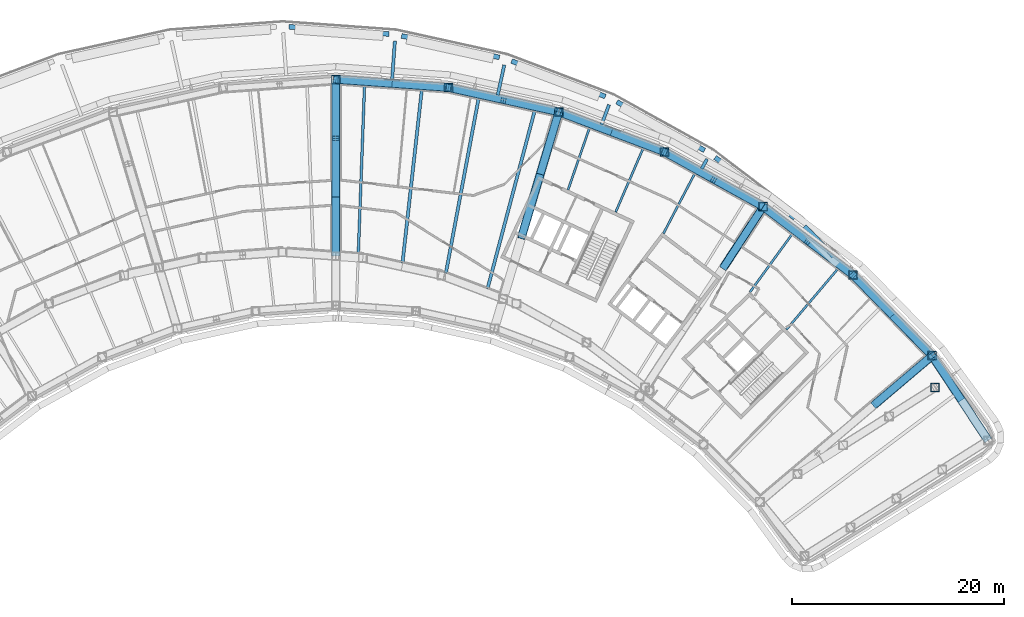
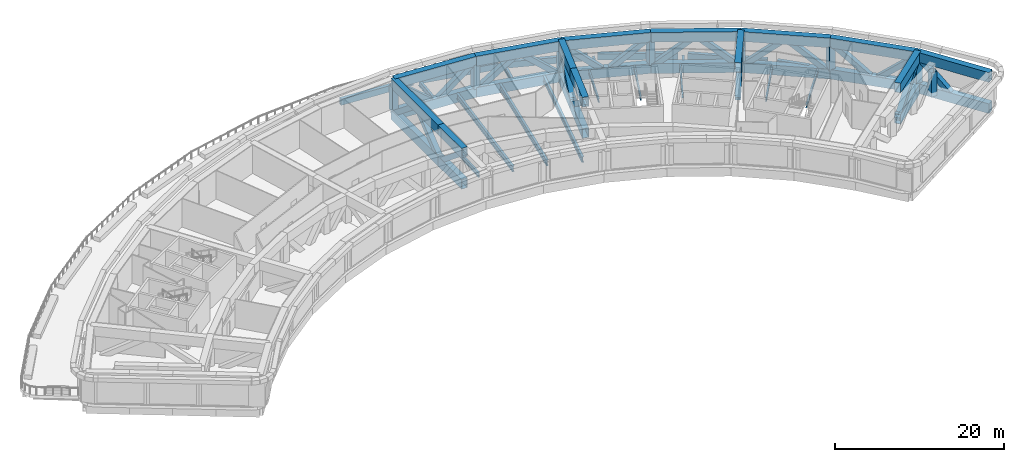
# One storey, part 5 of 24: 44 beams, 28 members.
"""IFC4 building model written with IfcOpenShell, lengths in metres."""

from ifc_helpers import new_model, si_unit, direction, frame, origin, origin_2d, place, context, subcontext, project, spatial, hollow_rectangle, i_section, extrude, material, material_profile, profile_set, type_object, element, save


model = new_model("IFC4")

# Units and contexts
model_context = context("Model", 3, precision=1e-05, world=origin(), true_north=direction((0.0, 1.0)))
body_context = subcontext(model_context, "Body", "Model", "MODEL_VIEW")
ifc_project = project(units=[si_unit("LENGTHUNIT", "METRE"), si_unit("AREAUNIT", "SQUARE_METRE"), si_unit("VOLUMEUNIT", "CUBIC_METRE"), si_unit("PLANEANGLEUNIT", "RADIAN"), si_unit("MASSUNIT", "GRAM", prefix="KILO")], contexts=[model_context])

# Site, building, storey
site_placement = place(None, origin())
site = spatial("IfcSite", under=ifc_project, at=site_placement, CompositionType="ELEMENT")
building_placement = place(site_placement, origin())
building = spatial("IfcBuilding", under=site, at=building_placement, Name="Tuul Gate Civic Tower", CompositionType="ELEMENT")
storey_placement = place(building_placement, frame((0.0, 0.0, 94.800048828125)))
storey = spatial("IfcBuildingStorey", under=building, at=storey_placement, Name="Plant and refuge floor 3", CompositionType="ELEMENT", Elevation=94.800048828125)

# Beams
ifc_material_1 = material(Name="Steel S355", Category="steel")
ifc_material_profile_1 = material_profile(ifc_material_1, i_section(OverallWidth=0.199951171875, OverallDepth=0.5, WebThickness=0.010009765625, FlangeThickness=0.01611328125, at=origin_2d()), Name="PG500x200x10x16")
ifc_profile_set_1 = profile_set([ifc_material_profile_1], Name="Steel S355")
beam_type_1 = type_object("IfcBeamType", Name="STR-FLOOR BEAM-PG500x200x10x16", PredefinedType="BEAM", material=ifc_profile_set_1)
beam_1_placement = place(storey_placement, frame((52.419677734375, -9.964599609375, -0.650146484375), z_axis=(0.646596926475, 0.762831839053, 0.0), x_axis=(-0.762831839053, 0.646596926475, 0.0)))
element("IfcBeam", 1, at=beam_1_placement, inside=storey, type_object=beam_type_1, Name="Floor beam", PredefinedType="BEAM", context=body_context, shape_type="SweptSolid", body=[
    extrude(i_section(OverallWidth=0.199951171875, OverallDepth=0.5, WebThickness=0.010009765625, FlangeThickness=0.01611328125, at=origin_2d()), origin(), (0.0, 0.0, 1.0), 7.586669921875),
])
beam_2_placement = place(storey_placement, frame((48.96240234375, -6.437744140625, -0.650146484375), z_axis=(0.588416926036, 0.808557679547, 0.0), x_axis=(-0.808557679547, 0.588416926036, 0.0)))
element("IfcBeam", 2, at=beam_2_placement, inside=storey, type_object=beam_type_1, Name="Floor beam", PredefinedType="BEAM", context=body_context, shape_type="SweptSolid", body=[
    extrude(i_section(OverallWidth=0.199951171875, OverallDepth=0.5, WebThickness=0.010009765625, FlangeThickness=0.01611328125, at=origin_2d()), origin(), (0.0, 0.0, 1.0), 6.865966796875),
])
beam_3_placement = place(storey_placement, frame((40.7978515625, -0.882080078125, -0.650146484375), z_axis=(0.462735403105, 0.88649644484, 0.0), x_axis=(-0.88649644484, 0.462735403105, 0.0)))
element("IfcBeam", 3, at=beam_3_placement, inside=storey, type_object=beam_type_1, Name="Floor beam", PredefinedType="BEAM", context=body_context, shape_type="SweptSolid", body=[
    extrude(i_section(OverallWidth=0.199951171875, OverallDepth=0.5, WebThickness=0.010009765625, FlangeThickness=0.01611328125, at=origin_2d()), origin(), (0.0, 0.0, 1.0), 6.4521484375),
])
beam_4_placement = place(storey_placement, frame((36.28271484375, 1.145263671875, -0.650146484375), z_axis=(0.395914143622, 0.918287531702, 0.0), x_axis=(-0.918287531702, 0.395914143622, 0.0)))
element("IfcBeam", 4, at=beam_4_placement, inside=storey, type_object=beam_type_1, Name="Floor beam", PredefinedType="BEAM", context=body_context, shape_type="SweptSolid", body=[
    extrude(i_section(OverallWidth=0.199951171875, OverallDepth=0.5, WebThickness=0.010009765625, FlangeThickness=0.01611328125, at=origin_2d()), origin(), (0.0, 0.0, 1.0), 6.6142578125),
])
beam_5_placement = place(storey_placement, frame((31.781005859375, 3.244384765625, -0.650146484375), z_axis=(0.326914324842, 0.945053979523, 0.0), x_axis=(-0.945053979523, 0.326914324842, 0.0)))
element("IfcBeam", 5, at=beam_5_placement, inside=storey, type_object=beam_type_1, Name="Floor beam", PredefinedType="BEAM", context=body_context, shape_type="SweptSolid", body=[
    extrude(i_section(OverallWidth=0.199951171875, OverallDepth=0.5, WebThickness=0.010009765625, FlangeThickness=0.01611328125, at=origin_2d()), origin(), (0.0, 0.0, 1.0), 6.23876953125),
])
ifc_material_2 = material(Name="Steel S355", Category="steel")
ifc_material_profile_2 = material_profile(ifc_material_2, i_section(OverallWidth=0.25, OverallDepth=0.64990234375, WebThickness=0.011962890625, FlangeThickness=0.02001953125, at=origin_2d()), Name="PG650x250x12x20")
ifc_profile_set_2 = profile_set([ifc_material_profile_2], Name="Steel S355")
beam_type_2 = type_object("IfcBeamType", Name="STR-FLOOR BEAM-PG650x250x12x20", PredefinedType="BEAM", material=ifc_profile_set_2)
beam_6_placement = place(storey_placement, frame((11.953857421875, -2.816162109375, -0.72509765625), z_axis=(0.036990733852, 0.999315608609, 0.0), x_axis=(-0.999315608609, 0.036990733852, 0.0)))
element("IfcBeam", 6, at=beam_6_placement, inside=storey, type_object=beam_type_2, Name="Floor beam", PredefinedType="BEAM", context=body_context, shape_type="SweptSolid", body=[
    extrude(i_section(OverallWidth=0.25, OverallDepth=0.64990234375, WebThickness=0.011962890625, FlangeThickness=0.02001953125, at=origin_2d()), origin(), (0.0, 0.0, 1.0), 15.965576171875),
])
ifc_material_3 = material(Name="Steel S355", Category="steel")
ifc_material_profile_3 = material_profile(ifc_material_3, i_section(OverallWidth=0.300048828125, OverallDepth=0.800048828125, WebThickness=0.013916015625, FlangeThickness=0.02490234375, at=origin_2d()), Name="PG800x300x14x25")
ifc_profile_set_3 = profile_set([ifc_material_profile_3], Name="Steel S355")
beam_type_3 = type_object("IfcBeamType", Name="STR-FLOOR BEAM-PG800x300x14x25", PredefinedType="BEAM", material=ifc_profile_set_3)
beam_7_placement = place(storey_placement, frame((24.16552734375, -6.1103515625, -0.800048828125), z_axis=(0.256152486895, 0.966636386372, 0.0), x_axis=(-0.966636386372, 0.256152486895, 0.0)))
element("IfcBeam", 7, at=beam_7_placement, inside=storey, type_object=beam_type_3, Name="Floor beam", PredefinedType="BEAM", context=body_context, shape_type="SweptSolid", body=[
    extrude(i_section(OverallWidth=0.300048828125, OverallDepth=0.800048828125, WebThickness=0.013916015625, FlangeThickness=0.02490234375, at=origin_2d()), origin(), (0.0, 0.0, 1.0), 17.451416015625),
])
beam_8_placement = place(storey_placement, frame((20.2333984375, -4.623046875, -0.800048828125), z_axis=(0.18398037691, 0.982929916582, 0.0), x_axis=(-0.982929916582, 0.18398037691, 0.0)))
element("IfcBeam", 8, at=beam_8_placement, inside=storey, type_object=beam_type_3, Name="Floor beam", PredefinedType="BEAM", context=body_context, shape_type="SweptSolid", body=[
    extrude(i_section(OverallWidth=0.300048828125, OverallDepth=0.800048828125, WebThickness=0.013916015625, FlangeThickness=0.02490234375, at=origin_2d()), origin(), (0.0, 0.0, 1.0), 16.838134765625),
])
beam_9_placement = place(storey_placement, frame((16.13232421875, -3.666015625, -0.800048828125), z_axis=(0.110790117218, 0.993843825723, 0.0), x_axis=(-0.993843825723, 0.110790117218, 0.0)))
element("IfcBeam", 9, at=beam_9_placement, inside=storey, type_object=beam_type_3, Name="Floor beam", PredefinedType="BEAM", context=body_context, shape_type="SweptSolid", body=[
    extrude(i_section(OverallWidth=0.300048828125, OverallDepth=0.800048828125, WebThickness=0.013916015625, FlangeThickness=0.02490234375, at=origin_2d()), origin(), (0.0, 0.0, 1.0), 16.513916015625),
])
beam_10_placement = place(storey_placement, frame((44.920166015625, 6.1591796875, -0.800048828125), z_axis=(-0.484877816246, -0.874581902004, 0.0), x_axis=(0.874581902004, -0.484877816246, 0.0)))
element("IfcBeam", 10, at=beam_10_placement, inside=storey, type_object=beam_type_3, Name="Terrace beam", PredefinedType="BEAM", context=body_context, shape_type="SweptSolid", body=[
    extrude(i_section(OverallWidth=0.300048828125, OverallDepth=0.800048828125, WebThickness=0.013916015625, FlangeThickness=0.02490234375, at=origin_2d()), origin(), (0.0, 0.0, 1.0), 1.056884765625),
])
beam_11_placement = place(storey_placement, frame((35.65966796875, 11.2998046875, -0.800048828125), z_axis=(-0.35367783175, -0.935367302897, 0.0), x_axis=(0.935367302897, -0.35367783175, 0.0)))
element("IfcBeam", 11, at=beam_11_placement, inside=storey, type_object=beam_type_3, Name="Terrace beam", PredefinedType="BEAM", context=body_context, shape_type="SweptSolid", body=[
    extrude(i_section(OverallWidth=0.300048828125, OverallDepth=0.800048828125, WebThickness=0.013916015625, FlangeThickness=0.02490234375, at=origin_2d()), origin(), (0.0, 0.0, 1.0), 2.0205078125),
])
beam_12_placement = place(storey_placement, frame((25.755859375, 15.051025390625, -0.800048828125), z_axis=(-0.215231553772, -0.976563043669, 0.0), x_axis=(0.976563043669, -0.215231553772, 0.0)))
element("IfcBeam", 12, at=beam_12_placement, inside=storey, type_object=beam_type_3, Name="Terrace beam", PredefinedType="BEAM", context=body_context, shape_type="SweptSolid", body=[
    extrude(i_section(OverallWidth=0.300048828125, OverallDepth=0.800048828125, WebThickness=0.013916015625, FlangeThickness=0.02490234375, at=origin_2d()), origin(), (0.0, 0.0, 1.0), 2.922119140625),
])
beam_13_placement = place(storey_placement, frame((15.41455078125, 17.336669921875, -0.800048828125), z_axis=(-0.072178378469, -0.997391739329, 0.0), x_axis=(0.997391739329, -0.072178378469, 0.0)))
element("IfcBeam", 13, at=beam_13_placement, inside=storey, type_object=beam_type_3, Name="Terrace beam", PredefinedType="BEAM", context=body_context, shape_type="SweptSolid", body=[
    extrude(i_section(OverallWidth=0.300048828125, OverallDepth=0.800048828125, WebThickness=0.013916015625, FlangeThickness=0.02490234375, at=origin_2d()), origin(), (0.0, 0.0, 1.0), 3.744384765625),
])
ifc_material_4 = material(Name="Steel S355", Category="steel")
ifc_material_profile_4 = material_profile(ifc_material_4, hollow_rectangle(XDim=0.449951171875, YDim=0.89990234375, WallThickness=0.02490234375, at=origin_2d()), Name="BOX900x450x25")
ifc_profile_set_4 = profile_set([ifc_material_profile_4], Name="Steel S355")
beam_type_4 = type_object("IfcBeamType", Name="STR-SPANDREL BEAM-BOX900x450x25", PredefinedType="BEAM", material=ifc_profile_set_4)
beam_14_placement = place(storey_placement, frame((56.877197265625, -3.019287109375, -0.85009765625), z_axis=(-0.699990049811, 0.714152595854, 0.0), x_axis=(-0.714152595854, -0.699990049811, 0.0)))
element("IfcBeam", 14, at=beam_14_placement, inside=storey, type_object=beam_type_4, Name="Terrace edge beam", PredefinedType="BEAM", context=body_context, shape_type="SweptSolid", body=[
    extrude(hollow_rectangle(XDim=0.449951171875, YDim=0.89990234375, WallThickness=0.02490234375, at=origin_2d()), origin(), (0.0, 0.0, 1.0), 3.930419921875),
])
beam_15_placement = place(storey_placement, frame((53.228515625, 0.57958984375, -0.85009765625), z_axis=(-0.795626241327, 0.605787821033, 0.0), x_axis=(-0.605787821033, -0.795626241327, 0.0)))
element("IfcBeam", 15, at=beam_15_placement, inside=storey, type_object=beam_type_4, Name="Terrace edge beam", PredefinedType="BEAM", context=body_context, shape_type="SweptSolid", body=[
    extrude(hollow_rectangle(XDim=0.449951171875, YDim=0.89990234375, WallThickness=0.02490234375, at=origin_2d()), origin(), (0.0, 0.0, 1.0), 9.476806640625),
])
beam_16_placement = place(storey_placement, frame((44.686279296875, 6.974853515625, -0.85009765625), z_axis=(-0.874608888761, 0.484829136604, 0.0), x_axis=(-0.484829136604, -0.874608888761, 0.0)))
element("IfcBeam", 16, at=beam_16_placement, inside=storey, type_object=beam_type_4, Name="Terrace edge beam", PredefinedType="BEAM", context=body_context, shape_type="SweptSolid", body=[
    extrude(hollow_rectangle(XDim=0.449951171875, YDim=0.89990234375, WallThickness=0.02490234375, at=origin_2d()), origin(), (0.0, 0.0, 1.0), 9.47802734375),
])
beam_17_placement = place(storey_placement, frame((35.310791015625, 12.0732421875, -0.85009765625), z_axis=(-0.935376104649, 0.353654552993, 0.0), x_axis=(-0.353654552993, -0.935376104649, 0.0)))
element("IfcBeam", 17, at=beam_17_placement, inside=storey, type_object=beam_type_4, Name="Terrace edge beam", PredefinedType="BEAM", context=body_context, shape_type="SweptSolid", body=[
    extrude(hollow_rectangle(XDim=0.449951171875, YDim=0.89990234375, WallThickness=0.02490234375, at=origin_2d()), origin(), (0.0, 0.0, 1.0), 9.47705078125),
])
beam_18_placement = place(storey_placement, frame((25.299072265625, 15.76611328125, -0.85009765625), z_axis=(-0.97656320303, 0.215230830708, 0.0), x_axis=(-0.215230830708, -0.97656320303, 0.0)))
element("IfcBeam", 18, at=beam_18_placement, inside=storey, type_object=beam_type_4, Name="Terrace edge beam", PredefinedType="BEAM", context=body_context, shape_type="SweptSolid", body=[
    extrude(hollow_rectangle(XDim=0.449951171875, YDim=0.89990234375, WallThickness=0.02490234375, at=origin_2d()), origin(), (0.0, 0.0, 1.0), 9.477294921875),
])
beam_19_placement = place(storey_placement, frame((14.859619140625, 17.978271484375, -0.85009765625), z_axis=(-0.997382561925, 0.07230508397, 0.0), x_axis=(-0.07230508397, -0.997382561925, 0.0)))
element("IfcBeam", 19, at=beam_19_placement, inside=storey, type_object=beam_type_4, Name="Terrace edge beam", PredefinedType="BEAM", context=body_context, shape_type="SweptSolid", body=[
    extrude(hollow_rectangle(XDim=0.449951171875, YDim=0.89990234375, WallThickness=0.02490234375, at=origin_2d()), origin(), (0.0, 0.0, 1.0), 9.47802734375),
])
ifc_material_5 = material(Name="Steel S460", Category="steel")
ifc_material_profile_5 = material_profile(ifc_material_5, hollow_rectangle(XDim=0.800048828125, YDim=1.39990234375, WallThickness=0.0400390625, at=origin_2d()), Name="BOX1400x800x40")
ifc_profile_set_5 = profile_set([ifc_material_profile_5], Name="Steel S460")
beam_type_5 = type_object("IfcBeamType", Name="STR-TRANSFER TRUSS CHORD-BOX1400x800x40", PredefinedType="BEAM", material=ifc_profile_set_5)
beam_20_placement = place(storey_placement, frame((50.23095703125, 1.6640625, 3.39990234375), z_axis=(-0.546721098723, -0.837314779644, 0.0), x_axis=(0.837314779644, -0.546721098723, 0.0)))
element("IfcBeam", 20, at=beam_20_placement, inside=storey, type_object=beam_type_5, Name="Radial truss top chord", PredefinedType="BEAM", context=body_context, shape_type="SweptSolid", body=[
    extrude(hollow_rectangle(XDim=0.800048828125, YDim=1.39990234375, WallThickness=0.0400390625, at=origin_2d()), origin(), (0.0, 0.0, 1.0), 6.800048828125),
])
for number, where, z_axis, x_axis, name in (
    (21, (66.200927734375, -12.428955078125, -1.10009765625), (-0.762813595765, -0.646618448636, 0.0), (0.646618448636, -0.762813595765, 0.0), "Radial truss bottom chord"),
    (22, (66.200927734375, -12.428955078125, 3.39990234375), (-0.762813595765, -0.646618448636, 0.0), (0.646618448636, -0.762813595765, 0.0), "Radial truss top chord"),
):
    element("IfcBeam", number, at=place(storey_placement, frame(where, z_axis=z_axis, x_axis=x_axis)), inside=storey, type_object=beam_type_5, Name=name, PredefinedType="BEAM", context=body_context, shape_type="SweptSolid", body=[
        extrude(hollow_rectangle(XDim=0.800048828125, YDim=1.39990234375, WallThickness=0.0400390625, at=origin_2d()), origin(), (0.0, 0.0, 1.0), 7.11865234375),
    ])
for number, where, z_axis, x_axis, name in (
    (23, (30.905029296875, 10.616943359375, -1.10009765625), (-0.285166663864, -0.958477946445, 0.0), (0.958477946445, -0.285166663864, 0.0), "Radial truss bottom chord"),
    (24, (29.1533203125, 4.729248046875, -1.10009765625), (-0.285166663864, -0.958477946445, 0.0), (0.958477946445, -0.285166663864, 0.0), "Radial truss bottom chord"),
    (25, (30.905029296875, 10.616943359375, 3.39990234375), (-0.285166663864, -0.958477946445, 0.0), (0.958477946445, -0.285166663864, 0.0), "Radial truss top chord"),
    (26, (29.1533203125, 4.729248046875, 3.39990234375), (-0.285166663864, -0.958477946445, 0.0), (0.958477946445, -0.285166663864, 0.0), "Radial truss top chord"),
):
    element("IfcBeam", number, at=place(storey_placement, frame(where, z_axis=z_axis, x_axis=x_axis)), inside=storey, type_object=beam_type_5, Name=name, PredefinedType="BEAM", context=body_context, shape_type="SweptSolid", body=[
        extrude(hollow_rectangle(XDim=0.800048828125, YDim=1.39990234375, WallThickness=0.0400390625, at=origin_2d()), origin(), (0.0, 0.0, 1.0), 6.142822265625),
    ])
beam_21_placement = place(storey_placement, frame((9.8291015625, 13.68603515625, -1.10009765625), z_axis=(0.0, -1.0, 0.0), x_axis=(1.0, 0.0, 0.0)))
element("IfcBeam", 27, at=beam_21_placement, inside=storey, type_object=beam_type_5, Name="Radial truss bottom chord", PredefinedType="BEAM", context=body_context, shape_type="SweptSolid", body=[
    extrude(hollow_rectangle(XDim=0.800048828125, YDim=1.39990234375, WallThickness=0.0400390625, at=origin_2d()), origin(), (0.0, 0.0, 1.0), 11.1328125),
])
beam_22_placement = place(storey_placement, frame((9.8291015625, 2.55322265625, -1.10009765625), z_axis=(0.0, -1.0, 0.0), x_axis=(1.0, 0.0, 0.0)))
element("IfcBeam", 28, at=beam_22_placement, inside=storey, type_object=beam_type_5, Name="Radial truss bottom chord", PredefinedType="BEAM", context=body_context, shape_type="SweptSolid", body=[
    extrude(hollow_rectangle(XDim=0.800048828125, YDim=1.39990234375, WallThickness=0.0400390625, at=origin_2d()), origin(), (0.0, 0.0, 1.0), 5.566162109375),
])
beam_23_placement = place(storey_placement, frame((9.8291015625, 13.68603515625, 3.39990234375), z_axis=(0.0, -1.0, 0.0), x_axis=(1.0, 0.0, 0.0)))
element("IfcBeam", 29, at=beam_23_placement, inside=storey, type_object=beam_type_5, Name="Radial truss top chord", PredefinedType="BEAM", context=body_context, shape_type="SweptSolid", body=[
    extrude(hollow_rectangle(XDim=0.800048828125, YDim=1.39990234375, WallThickness=0.0400390625, at=origin_2d()), origin(), (0.0, 0.0, 1.0), 11.1328125),
])
beam_24_placement = place(storey_placement, frame((9.8291015625, 2.55322265625, 3.39990234375), z_axis=(0.0, -1.0, 0.0), x_axis=(1.0, 0.0, 0.0)))
element("IfcBeam", 30, at=beam_24_placement, inside=storey, type_object=beam_type_5, Name="Radial truss top chord", PredefinedType="BEAM", context=body_context, shape_type="SweptSolid", body=[
    extrude(hollow_rectangle(XDim=0.800048828125, YDim=1.39990234375, WallThickness=0.0400390625, at=origin_2d()), origin(), (0.0, 0.0, 1.0), 5.566162109375),
])
for number, where, z_axis, x_axis, name in (
    (31, (40.89306640625, 6.840087890625, -1.10009765625), (-0.935360684942, 0.353695333677, 0.0), (-0.353695333677, -0.935360684942, 0.0), "Belt truss bottom chord"),
    (32, (40.89306640625, 6.840087890625, 3.39990234375), (-0.935360684942, 0.353695333677, 0.0), (-0.353695333677, -0.935360684942, 0.0), "Belt truss top chord"),
):
    element("IfcBeam", number, at=place(storey_placement, frame(where, z_axis=z_axis, x_axis=x_axis)), inside=storey, type_object=beam_type_5, Name=name, PredefinedType="BEAM", context=body_context, shape_type="SweptSolid", body=[
        extrude(hollow_rectangle(XDim=0.800048828125, YDim=1.39990234375, WallThickness=0.0400390625, at=origin_2d()), origin(), (0.0, 0.0, 1.0), 10.67822265625),
    ])
for number, where, z_axis, x_axis, name in (
    (33, (66.200927734375, -12.428955078125, -1.10009765625), (-0.700041006528, 0.714102646108, 0.0), (-0.714102646108, -0.700041006528, 0.0), "Belt truss bottom chord"),
    (34, (66.200927734375, -12.428955078125, 3.39990234375), (-0.700041006528, 0.714102646108, 0.0), (-0.714102646108, -0.700041006528, 0.0), "Belt truss top chord"),
):
    element("IfcBeam", number, at=place(storey_placement, frame(where, z_axis=z_axis, x_axis=x_axis)), inside=storey, type_object=beam_type_5, Name=name, PredefinedType="BEAM", context=body_context, shape_type="SweptSolid", body=[
        extrude(hollow_rectangle(XDim=0.800048828125, YDim=1.39990234375, WallThickness=0.0400390625, at=origin_2d()), origin(), (0.0, 0.0, 1.0), 10.677734375),
    ])
for number, where, z_axis, x_axis, name in (
    (35, (30.905029296875, 10.616943359375, -1.10009765625), (-0.976562731161, 0.215232971702, 0.0), (-0.215232971702, -0.976562731161, 0.0), "Belt truss bottom chord"),
    (36, (30.905029296875, 10.616943359375, 3.39990234375), (-0.976562731161, 0.215232971702, 0.0), (-0.215232971702, -0.976562731161, 0.0), "Belt truss top chord"),
    (37, (58.72607421875, -4.803955078125, -1.10009765625), (-0.795632710164, 0.605779324933, 0.0), (-0.605779324933, -0.795632710164, 0.0), "Belt truss bottom chord"),
    (38, (58.72607421875, -4.803955078125, 3.39990234375), (-0.795632710164, 0.605779324933, 0.0), (-0.605779324933, -0.795632710164, 0.0), "Belt truss top chord"),
):
    element("IfcBeam", number, at=place(storey_placement, frame(where, z_axis=z_axis, x_axis=x_axis)), inside=storey, type_object=beam_type_5, Name=name, PredefinedType="BEAM", context=body_context, shape_type="SweptSolid", body=[
        extrude(hollow_rectangle(XDim=0.800048828125, YDim=1.39990234375, WallThickness=0.0400390625, at=origin_2d()), origin(), (0.0, 0.0, 1.0), 10.67724609375),
    ])
for number, where, z_axis, x_axis, name in (
    (39, (20.47802734375, 12.9150390625, -1.10009765625), (-0.997389285172, 0.072212283061, 0.0), (-0.072212283061, -0.997389285172, 0.0), "Belt truss bottom chord"),
    (40, (20.47802734375, 12.9150390625, 3.39990234375), (-0.997389285172, 0.072212283061, 0.0), (-0.072212283061, -0.997389285172, 0.0), "Belt truss top chord"),
):
    element("IfcBeam", number, at=place(storey_placement, frame(where, z_axis=z_axis, x_axis=x_axis)), inside=storey, type_object=beam_type_5, Name=name, PredefinedType="BEAM", context=body_context, shape_type="SweptSolid", body=[
        extrude(hollow_rectangle(XDim=0.800048828125, YDim=1.39990234375, WallThickness=0.0400390625, at=origin_2d()), origin(), (0.0, 0.0, 1.0), 10.6767578125),
    ])
for number, where, z_axis, x_axis, name in (
    (41, (50.23095703125, 1.6640625, -1.10009765625), (-0.874621768546, 0.484805901353, 0.0), (-0.484805901353, -0.874621768546, 0.0), "Belt truss bottom chord"),
    (42, (50.23095703125, 1.6640625, 3.39990234375), (-0.874621768546, 0.484805901353, 0.0), (-0.484805901353, -0.874621768546, 0.0), "Belt truss top chord"),
):
    element("IfcBeam", number, at=place(storey_placement, frame(where, z_axis=z_axis, x_axis=x_axis)), inside=storey, type_object=beam_type_5, Name=name, PredefinedType="BEAM", context=body_context, shape_type="SweptSolid", body=[
        extrude(hollow_rectangle(XDim=0.800048828125, YDim=1.39990234375, WallThickness=0.0400390625, at=origin_2d()), origin(), (0.0, 0.0, 1.0), 10.676513671875),
    ])
for number, where, z_axis, x_axis, name in (
    (43, (71.5, -20.44189453125, -1.10009765625), (-0.551605665118, 0.834105023489, 0.0), (-0.834105023489, -0.551605665118, 0.0), "Belt truss bottom chord"),
    (44, (71.5, -20.44189453125, 3.39990234375), (-0.551605665118, 0.834105023489, 0.0), (-0.834105023489, -0.551605665118, 0.0), "Belt truss top chord"),
):
    element("IfcBeam", number, at=place(storey_placement, frame(where, z_axis=z_axis, x_axis=x_axis)), inside=storey, type_object=beam_type_5, Name=name, PredefinedType="BEAM", context=body_context, shape_type="SweptSolid", body=[
        extrude(hollow_rectangle(XDim=0.800048828125, YDim=1.39990234375, WallThickness=0.0400390625, at=origin_2d()), origin(), (0.0, 0.0, 1.0), 9.606689453125),
    ])

# Members
ifc_material_6 = material(Name="Steel S355", Category="steel")
ifc_material_profile_6 = material_profile(ifc_material_6, hollow_rectangle(XDim=0.699951171875, YDim=0.699951171875, WallThickness=0.031982421875, at=origin_2d()), Name="BOX700x700x32")
ifc_profile_set_6 = profile_set([ifc_material_profile_6], Name="Steel S355")
member_type_1 = type_object("IfcMemberType", Name="STR-TRANSFER TRUSS DIAGONAL-BOX700x700x32", PredefinedType="BRACE", material=ifc_profile_set_6)
member_1_placement = place(storey_placement, frame((46.510986328125, -4.033203125, -1.102783203125), z_axis=(0.455941388754, 0.698250897056, 0.551872389943), x_axis=(-0.837303001103, 0.54673913738, 0.0)))
element("IfcMember", 45, at=member_1_placement, inside=storey, type_object=member_type_1, Name="Radial truss web", PredefinedType="BRACE", context=body_context, shape_type="SweptSolid", body=[
    extrude(hollow_rectangle(XDim=0.699951171875, YDim=0.699951171875, WallThickness=0.031982421875, at=origin_2d()), origin(), (0.0, 0.0, 1.0), 8.164306640625),
])
member_2_placement = place(storey_placement, frame((60.767333984375, -17.03466796875, -1.102783203125), z_axis=(0.644815158092, 0.546543822369, 0.534325052871), x_axis=(-0.646583867558, 0.762842907953, 0.0)))
element("IfcMember", 46, at=member_2_placement, inside=storey, type_object=member_type_1, Name="Radial truss web", PredefinedType="BRACE", context=body_context, shape_type="SweptSolid", body=[
    extrude(hollow_rectangle(XDim=0.699951171875, YDim=0.699951171875, WallThickness=0.031982421875, at=origin_2d()), origin(), (0.0, 0.0, 1.0), 8.431884765625),
])
member_3_placement = place(storey_placement, frame((29.152099609375, 4.725341796875, -1.10302734375), z_axis=(0.230060029247, 0.773206623002, 0.590951690994), x_axis=(-0.958472745942, 0.285184142769, 0.0)))
element("IfcMember", 47, at=member_3_placement, inside=storey, type_object=member_type_1, Name="Radial truss web", PredefinedType="BRACE", context=body_context, shape_type="SweptSolid", body=[
    extrude(hollow_rectangle(XDim=0.699951171875, YDim=0.699951171875, WallThickness=0.031982421875, at=origin_2d()), origin(), (0.0, 0.0, 1.0), 7.624755859375),
])
member_4_placement = place(storey_placement, frame((29.154541015625, 4.733154296875, -1.10302734375), z_axis=(-0.230065725094, -0.773193745838, 0.590966321828), x_axis=(0.95846951764, -0.285194992514, 0.0)))
element("IfcMember", 48, at=member_4_placement, inside=storey, type_object=member_type_1, Name="Radial truss web", PredefinedType="BRACE", context=body_context, shape_type="SweptSolid", body=[
    extrude(hollow_rectangle(XDim=0.699951171875, YDim=0.699951171875, WallThickness=0.031982421875, at=origin_2d()), origin(), (0.0, 0.0, 1.0), 7.62451171875),
])
for number, where, z_axis, x_axis, name in (
    (49, (9.8291015625, 13.68994140625, -1.103271484375), (0.0, -0.77766191365, 0.628682708573), (1.0, 0.0, 0.0), "Radial truss web"),
    (50, (9.8291015625, 2.54931640625, -1.103271484375), (0.0, 0.77766191365, 0.628682708573), (-1.0, 0.0, 0.0), "Radial truss web"),
):
    element("IfcMember", number, at=place(storey_placement, frame(where, z_axis=z_axis, x_axis=x_axis)), inside=storey, type_object=member_type_1, Name=name, PredefinedType="BRACE", context=body_context, shape_type="SweptSolid", body=[
        extrude(hollow_rectangle(XDim=0.699951171875, YDim=0.699951171875, WallThickness=0.031982421875, at=origin_2d()), origin(), (0.0, 0.0, 1.0), 7.16796875),
    ])
member_5_placement = place(storey_placement, frame((9.8291015625, 2.55712890625, -1.103271484375), z_axis=(0.0, -0.777648451105, 0.628699360978), x_axis=(1.0, 0.0, 0.0)))
element("IfcMember", 51, at=member_5_placement, inside=storey, type_object=member_type_1, Name="Radial truss web", PredefinedType="BRACE", context=body_context, shape_type="SweptSolid", body=[
    extrude(hollow_rectangle(XDim=0.699951171875, YDim=0.699951171875, WallThickness=0.031982421875, at=origin_2d()), origin(), (0.0, 0.0, 1.0), 7.167724609375),
])
member_6_placement = place(storey_placement, frame((35.8955078125, 8.729736328125, -1.103271484375), z_axis=(0.715204745221, -0.270453815489, 0.644466373134), x_axis=(0.353704245377, 0.935357315042, 0.0)))
element("IfcMember", 52, at=member_6_placement, inside=storey, type_object=member_type_1, Name="Belt truss web", PredefinedType="BRACE", context=body_context, shape_type="SweptSolid", body=[
    extrude(hollow_rectangle(XDim=0.699951171875, YDim=0.699951171875, WallThickness=0.031982421875, at=origin_2d()), origin(), (0.0, 0.0, 1.0), 6.992431640625),
])
member_7_placement = place(storey_placement, frame((35.902587890625, 8.72705078125, -1.103271484375), z_axis=(-0.715215046254, 0.270479422179, 0.644444194472), x_axis=(-0.353729086808, -0.935347920907, 0.0)))
element("IfcMember", 53, at=member_7_placement, inside=storey, type_object=member_type_1, Name="Belt truss web", PredefinedType="BRACE", context=body_context, shape_type="SweptSolid", body=[
    extrude(hollow_rectangle(XDim=0.699951171875, YDim=0.699951171875, WallThickness=0.031982421875, at=origin_2d()), origin(), (0.0, 0.0, 1.0), 6.99267578125),
])
for number, where, z_axis, x_axis, name in (
    (54, (62.4609375, -8.61376953125, -1.103271484375), (0.535264022767, -0.546018185782, 0.644481626369), (0.714104170788, 0.70003945122, 0.0), "Belt truss web"),
    (55, (62.466064453125, -8.619140625, -1.103271484375), (-0.535264022767, 0.546018185782, 0.644481626369), (-0.714104170788, -0.70003945122, 0.0), "Belt truss web"),
    (56, (30.90869140625, 10.6162109375, -1.103271484375), (-0.746692629504, 0.164562186713, 0.644491585475), (-0.215223296771, -0.976564863451, 0.0), "Belt truss web"),
    (57, (20.474365234375, 12.915771484375, -1.103271484375), (0.746692629504, -0.164562186713, 0.644491585475), (0.215223296771, 0.976564863451, 0.0), "Belt truss web"),
    (58, (58.72900390625, -4.806396484375, -1.103271484375), (-0.608346511385, 0.46319949607, 0.644484870983), (-0.605792780805, -0.795622464945, 0.0), "Belt truss web"),
):
    element("IfcMember", number, at=place(storey_placement, frame(where, z_axis=z_axis, x_axis=x_axis)), inside=storey, type_object=member_type_1, Name=name, PredefinedType="BRACE", context=body_context, shape_type="SweptSolid", body=[
        extrude(hollow_rectangle(XDim=0.699951171875, YDim=0.699951171875, WallThickness=0.031982421875, at=origin_2d()), origin(), (0.0, 0.0, 1.0), 6.9921875),
    ])
member_8_placement = place(storey_placement, frame((50.22802734375, 1.666259765625, -1.103271484375), z_axis=(0.608334355251, -0.463181909218, 0.644508984572), x_axis=(0.605785883419, 0.795627716617, 0.0)))
element("IfcMember", 59, at=member_8_placement, inside=storey, type_object=member_type_1, Name="Belt truss web", PredefinedType="BRACE", context=body_context, shape_type="SweptSolid", body=[
    extrude(hollow_rectangle(XDim=0.699951171875, YDim=0.699951171875, WallThickness=0.031982421875, at=origin_2d()), origin(), (0.0, 0.0, 1.0), 6.991943359375),
])
member_9_placement = place(storey_placement, frame((15.149658203125, 13.30078125, -1.103271484375), z_axis=(0.762615437851, -0.055203287727, 0.64449227379), x_axis=(0.072197889623, 0.997390327171, 0.0)))
element("IfcMember", 60, at=member_9_placement, inside=storey, type_object=member_type_1, Name="Belt truss web", PredefinedType="BRACE", context=body_context, shape_type="SweptSolid", body=[
    extrude(hollow_rectangle(XDim=0.699951171875, YDim=0.699951171875, WallThickness=0.031982421875, at=origin_2d()), origin(), (0.0, 0.0, 1.0), 6.9921875),
])
for number, where, z_axis, x_axis, name in (
    (61, (15.1572265625, 13.30029296875, -1.103271484375), (-0.762600827506, 0.055204757705, 0.644509435628), (-0.072201178155, -0.997390089119, 0.0), "Belt truss web"),
    (62, (50.234375, 1.662109375, -1.103271484375), (-0.668736801701, 0.370682429347, 0.644504171146), (-0.484805185284, -0.874622165464, 0.0), "Belt truss web"),
    (63, (40.8896484375, 6.841796875, -1.103271484375), (0.668745457084, -0.37065230926, 0.644512512889), (0.484770250206, 0.874641529151, 0.0), "Belt truss web"),
):
    element("IfcMember", number, at=place(storey_placement, frame(where, z_axis=z_axis, x_axis=x_axis)), inside=storey, type_object=member_type_1, Name=name, PredefinedType="BRACE", context=body_context, shape_type="SweptSolid", body=[
        extrude(hollow_rectangle(XDim=0.699951171875, YDim=0.699951171875, WallThickness=0.031982421875, at=origin_2d()), origin(), (0.0, 0.0, 1.0), 6.991943359375),
    ])
member_10_placement = place(storey_placement, frame((68.8525390625, -16.4384765625, -1.103515625), z_axis=(-0.402551141874, 0.608697029782, 0.683696207471), x_axis=(-0.8340980697, -0.551616180077, 0.0)))
element("IfcMember", 64, at=member_10_placement, inside=storey, type_object=member_type_1, Name="Belt truss web", PredefinedType="BRACE", context=body_context, shape_type="SweptSolid", body=[
    extrude(hollow_rectangle(XDim=0.699951171875, YDim=0.699951171875, WallThickness=0.031982421875, at=origin_2d()), origin(), (0.0, 0.0, 1.0), 6.591796875),
])
ifc_material_7 = material(Name="Steel S355", Category="steel")
ifc_material_profile_7 = material_profile(ifc_material_7, hollow_rectangle(XDim=0.800048828125, YDim=0.800048828125, WallThickness=0.034912109375, at=origin_2d()), Name="BOX800x800x35")
ifc_profile_set_7 = profile_set([ifc_material_profile_7], Name="Steel S355")
member_type_2 = type_object("IfcMemberType", Name="STR-TRUSS POST-BOX800x800x35", PredefinedType="POST", material=ifc_profile_set_7)
for number, where, z_axis, x_axis, name in (
    (65, (50.23095703125, 1.6640625, -0.594970703125), (0.0, 0.0, 1.0), (1.0, 0.0, 0.0), "Radial truss post"),
    (66, (66.200927734375, -12.428955078125, -0.594970703125), (0.0, 0.0, 1.0), (1.0, 0.0, 0.0), "Radial truss post"),
    (67, (30.905029296875, 10.616943359375, -0.594970703125), (0.0, 0.0, 1.0), (1.0, 0.0, 0.0), "Radial truss post"),
    (68, (9.8291015625, 13.68603515625, -0.594970703125), (0.0, 0.0, 1.0), (1.0, 0.0, 0.0), "Radial truss post"),
    (69, (40.89306640625, 6.840087890625, -0.594970703125), (0.0, 0.0, 1.0), (1.0, 0.0, 0.0), "Belt truss post"),
    (70, (58.72607421875, -4.803955078125, -0.594970703125), (0.0, 0.0, 1.0), (1.0, 0.0, 0.0), "Belt truss post"),
    (71, (20.47802734375, 12.9150390625, -0.594970703125), (0.0, 0.0, 1.0), (1.0, 0.0, 0.0), "Belt truss post"),
    (72, (66.47900390625, -15.4208984375, -0.594970703125), (0.0, 0.0, 1.0), (1.0, 0.0, 0.0), "Belt truss post"),
):
    element("IfcMember", number, at=place(storey_placement, frame(where, z_axis=z_axis, x_axis=x_axis)), inside=storey, type_object=member_type_2, Name=name, PredefinedType="POST", context=body_context, shape_type="SweptSolid", body=[
        extrude(hollow_rectangle(XDim=0.800048828125, YDim=0.800048828125, WallThickness=0.034912109375, at=origin_2d()), origin(), (0.0, 0.0, 1.0), 3.489990234375),
    ])

save(model, "model.ifc")
